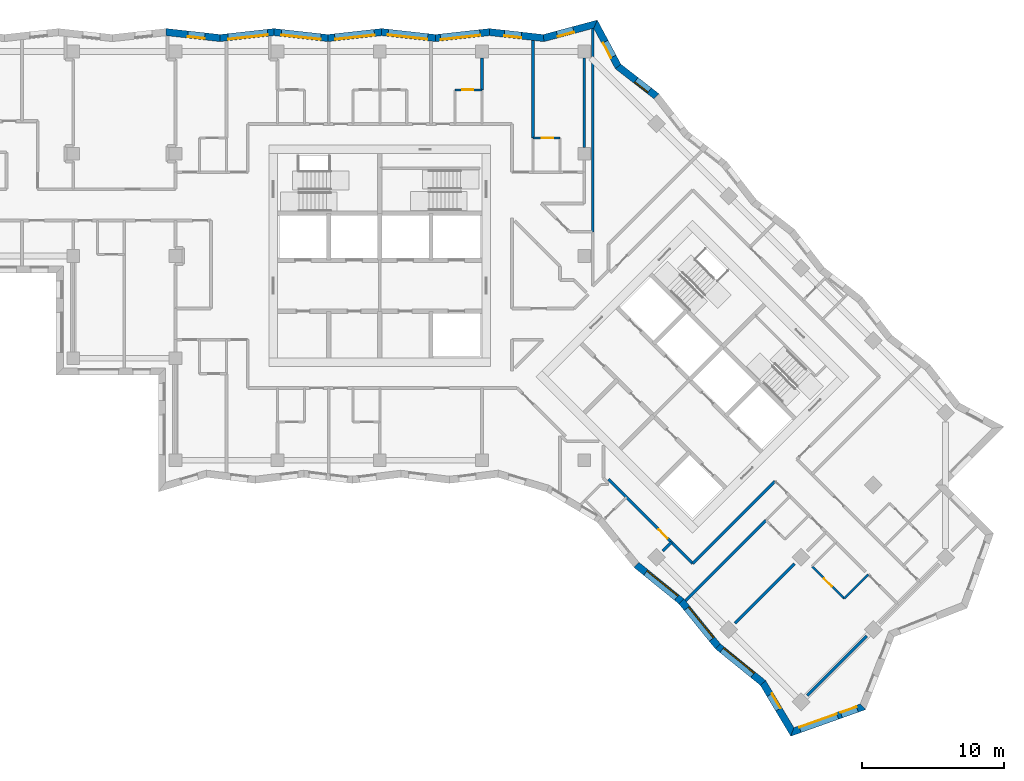
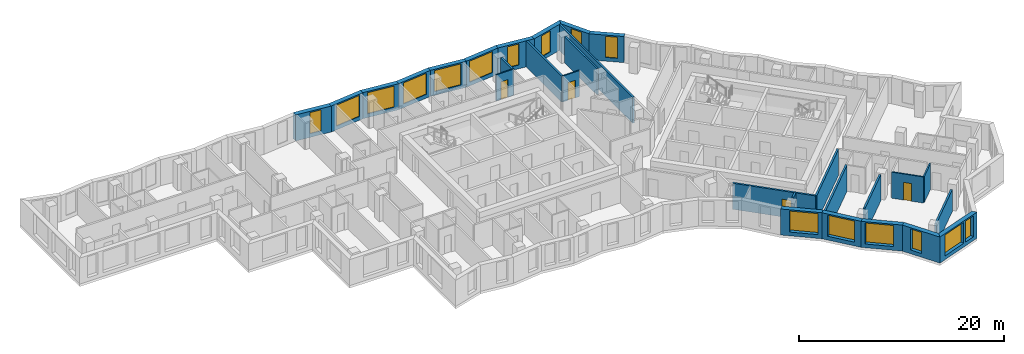
# One storey, part 7 of 12: 29 walls, 16 windows, 4 doors, 20 openings.
"""IFC4 building model written with IfcOpenShell, lengths in metres."""

from ifc_helpers import new_model, si_unit, direction, frame, frame_2d, origin, place, context, subcontext, project, spatial, polyline, rectangle, outline, extrude, material, layer, layer_set, type_object, element, fill, save


model = new_model("IFC4")

# Units and contexts
model_context = context("Model", 3, precision=1e-05, world=origin(), true_north=direction((0.0, 1.0)))
body_context = subcontext(model_context, "Body", "Model", "MODEL_VIEW")
ifc_project = project(units=[si_unit("LENGTHUNIT", "METRE"), si_unit("AREAUNIT", "SQUARE_METRE"), si_unit("VOLUMEUNIT", "CUBIC_METRE"), si_unit("PLANEANGLEUNIT", "RADIAN"), si_unit("MASSUNIT", "GRAM", prefix="KILO")], contexts=[model_context])

# Site, building, storey
site_placement = place(None, origin())
site = spatial("IfcSite", under=ifc_project, at=site_placement, CompositionType="ELEMENT")
building_placement = place(site_placement, origin())
building = spatial("IfcBuilding", under=site, at=building_placement, Name="Windrow Commons", CompositionType="ELEMENT")
storey_placement = place(building_placement, frame((0.0, 0.0, 149.0)))
storey = spatial("IfcBuildingStorey", under=building, at=storey_placement, Name="L40", CompositionType="ELEMENT", Elevation=149.0)

# Wall, openings, windows
ifc_material_1 = material(Name="Brick masonry, red clay brick", Category="masonry")
ifc_layer_1 = layer(ifc_material_1, 0.5)
ifc_layer_set_1 = layer_set([ifc_layer_1], Name="Brick facade wall 500")
wall_type_1 = type_object("IfcWallType", Name="Brick facade wall 500", PredefinedType="SOLIDWALL", material=ifc_layer_set_1)
wall_1_placement = place(storey_placement, frame((93.8609, 24.0648, 0.0), z_axis=(0.0, 0.0, 1.0), x_axis=(0.9420335154, 0.3355187863, 0.0)))
wall_1 = element("IfcWall", 1, at=wall_1_placement, inside=storey, type_object=wall_type_1, Name="Brick facade wall L40 1", PredefinedType="SOLIDWALL", context=body_context, shape_type="SweptSolid", body=[
    extrude(outline(polyline([(-0.2051, -0.25), (5.391, -0.25), (5.1636, 0.25), (0.2051, 0.25), (-0.2051, -0.25)])), origin(), (0.0, 0.0, 1.0), 3.1),
])
opening_1_placement = place(wall_1_placement, frame((0.5748, 0.0, 0.45)))
opening_1 = element("IfcOpeningElement", 2, at=opening_1_placement, cuts=wall_1, Name="Opening W1U", PredefinedType="OPENING", context=body_context, shape_type="SweptSolid", body=[
    extrude(rectangle(XDim=2.8, YDim=2.5, at=frame_2d((1.4, 1.25))), frame((0.0, 0.26, 0.0), z_axis=(0.0, -1.0, 0.0), x_axis=(1.0, 0.0, 0.0)), (0.0, 0.0, 1.0), 0.52),
])
opening_2_placement = place(wall_1_placement, frame((3.6541, 0.0, 0.45)))
opening_2 = element("IfcOpeningElement", 3, at=opening_2_placement, cuts=wall_1, Name="Opening W7E", PredefinedType="OPENING", context=body_context, shape_type="SweptSolid", body=[
    extrude(rectangle(XDim=1.2, YDim=2.5, at=frame_2d((0.6, 1.25))), frame((0.0, 0.26, 0.0), z_axis=(0.0, -1.0, 0.0), x_axis=(1.0, 0.0, 0.0)), (0.0, 0.0, 1.0), 0.52),
])
ifc_material_2 = material(Name="Clear float glass in anodised aluminium frame", Category="aluminium")
window_type_1 = type_object("IfcWindowType", Name="Window W1U bedroom 2800x2500", PartitioningType="SINGLE_PANEL", PredefinedType="WINDOW", material=ifc_material_2)
window_1_placement = place(opening_1_placement, origin())
window_1 = element("IfcWindow", 4, at=window_1_placement, inside=storey, type_object=window_type_1, Name="Window L40 1.1", OverallHeight=2.5, OverallWidth=2.8, PartitioningType="SINGLE_PANEL", PredefinedType="WINDOW", context=body_context, shape_type="SweptSolid", body=[
    extrude(rectangle(XDim=2.8, YDim=2.5, at=frame_2d((1.4, 1.25))), frame((0.0, 0.18, 0.0), z_axis=(0.0, -1.0, 0.0), x_axis=(1.0, 0.0, 0.0)), (0.0, 0.0, 1.0), 0.06),
])
fill(opening_1, window_1)
ifc_material_3 = material(Name="Clear float glass in anodised aluminium frame", Category="aluminium")
window_type_2 = type_object("IfcWindowType", Name="Window W7 notch 1200x2500", PartitioningType="SINGLE_PANEL", PredefinedType="WINDOW", material=ifc_material_3)
window_2_placement = place(opening_2_placement, origin())
window_2 = element("IfcWindow", 5, at=window_2_placement, inside=storey, type_object=window_type_2, Name="Window L40 1.2", OverallHeight=2.5, OverallWidth=1.2, PartitioningType="SINGLE_PANEL", PredefinedType="WINDOW", context=body_context, shape_type="SweptSolid", body=[
    extrude(rectangle(XDim=1.2, YDim=2.5, at=frame_2d((0.6, 1.25))), frame((0.0, 0.18, 0.0), z_axis=(0.0, -1.0, 0.0), x_axis=(1.0, 0.0, 0.0)), (0.0, 0.0, 1.0), 0.06),
])
fill(opening_2, window_2)

# Wall, opening, window
wall_2_placement = place(storey_placement, frame((84.2929, 68.8433, 0.0), z_axis=(0.0, 0.0, 1.0), x_axis=(-0.7891603499, 0.6141872207, 0.0)))
wall_2 = element("IfcWall", 6, at=wall_2_placement, inside=storey, type_object=wall_type_1, Name="Brick facade wall L40 17", PredefinedType="SOLIDWALL", context=body_context, shape_type="SweptSolid", body=[
    extrude(outline(polyline([(-0.0312, -0.25), (3.3716, -0.25), (3.4776, 0.25), (0.0312, 0.25), (-0.0312, -0.25)])), origin(), (0.0, 0.0, 1.0), 3.1),
])
opening_3_placement = place(wall_2_placement, frame((0.6409, 0.0, 0.45)))
opening_3 = element("IfcOpeningElement", 7, at=opening_3_placement, cuts=wall_2, Name="Opening W7E", PredefinedType="OPENING", context=body_context, shape_type="SweptSolid", body=[
    extrude(rectangle(XDim=1.2, YDim=2.5, at=frame_2d((0.6, 1.25))), frame((0.0, 0.26, 0.0), z_axis=(0.0, -1.0, 0.0), x_axis=(1.0, 0.0, 0.0)), (0.0, 0.0, 1.0), 0.52),
])
window_3_placement = place(opening_3_placement, origin())
window_3 = element("IfcWindow", 8, at=window_3_placement, inside=storey, type_object=window_type_2, Name="Window L40 17.1", OverallHeight=2.5, OverallWidth=1.2, PartitioningType="SINGLE_PANEL", PredefinedType="WINDOW", context=body_context, shape_type="SweptSolid", body=[
    extrude(rectangle(XDim=1.2, YDim=2.5, at=frame_2d((0.6, 1.25))), frame((0.0, 0.18, 0.0), z_axis=(0.0, -1.0, 0.0), x_axis=(1.0, 0.0, 0.0)), (0.0, 0.0, 1.0), 0.06),
])
fill(opening_3, window_3)

wall_3_placement = place(storey_placement, frame((81.5904, 70.9466, 0.0), z_axis=(0.0, 0.0, 1.0), x_axis=(-0.472203362, 0.8814896397, 0.0)))
wall_3 = element("IfcWall", 9, at=wall_3_placement, inside=storey, type_object=wall_type_1, Name="Brick facade wall L40 18", PredefinedType="SOLIDWALL", context=body_context, shape_type="SweptSolid", body=[
    extrude(outline(polyline([(0.053, -0.25), (3.5806, -0.25), (3.1838, 0.25), (-0.053, 0.25), (0.053, -0.25)])), origin(), (0.0, 0.0, 1.0), 3.1),
])
opening_4_placement = place(wall_3_placement, frame((0.772, 0.0, 0.45)))
opening_4 = element("IfcOpeningElement", 10, at=opening_4_placement, cuts=wall_3, Name="Opening W7E", PredefinedType="OPENING", context=body_context, shape_type="SweptSolid", body=[
    extrude(rectangle(XDim=1.2, YDim=2.5, at=frame_2d((0.6, 1.25))), frame((0.0, 0.26, 0.0), z_axis=(0.0, -1.0, 0.0), x_axis=(1.0, 0.0, 0.0)), (0.0, 0.0, 1.0), 0.52),
])
window_4_placement = place(opening_4_placement, origin())
window_4 = element("IfcWindow", 11, at=window_4_placement, inside=storey, type_object=window_type_2, Name="Window L40 18.1", OverallHeight=2.5, OverallWidth=1.2, PartitioningType="SINGLE_PANEL", PredefinedType="WINDOW", context=body_context, shape_type="SweptSolid", body=[
    extrude(rectangle(XDim=1.2, YDim=2.5, at=frame_2d((0.6, 1.25))), frame((0.0, 0.18, 0.0), z_axis=(0.0, -1.0, 0.0), x_axis=(1.0, 0.0, 0.0)), (0.0, 0.0, 1.0), 0.06),
])
fill(opening_4, window_4)

wall_4_placement = place(storey_placement, frame((79.9933, 73.928, 0.0), z_axis=(0.0, 0.0, 1.0), x_axis=(-0.9656852021, -0.2597154027, 0.0)))
wall_4 = element("IfcWall", 12, at=wall_4_placement, inside=storey, type_object=wall_type_1, Name="Brick facade wall L40 19", PredefinedType="SOLIDWALL", context=body_context, shape_type="SweptSolid", body=[
    extrude(outline(polyline([(-0.1984, -0.25), (3.7328, -0.25), (3.8272, 0.25), (0.1984, 0.25), (-0.1984, -0.25)])), origin(), (0.0, 0.0, 1.0), 3.1),
])
opening_5_placement = place(wall_4_placement, frame((1.6008, 0.0, 0.45)))
opening_5 = element("IfcOpeningElement", 13, at=opening_5_placement, cuts=wall_4, Name="Opening W7E", PredefinedType="OPENING", context=body_context, shape_type="SweptSolid", body=[
    extrude(rectangle(XDim=1.2, YDim=2.5, at=frame_2d((0.6, 1.25))), frame((0.0, 0.26, 0.0), z_axis=(0.0, -1.0, 0.0), x_axis=(1.0, 0.0, 0.0)), (0.0, 0.0, 1.0), 0.52),
])
window_5_placement = place(opening_5_placement, origin())
window_5 = element("IfcWindow", 14, at=window_5_placement, inside=storey, type_object=window_type_2, Name="Window L40 19.1", OverallHeight=2.5, OverallWidth=1.2, PartitioningType="SINGLE_PANEL", PredefinedType="WINDOW", context=body_context, shape_type="SweptSolid", body=[
    extrude(rectangle(XDim=1.2, YDim=2.5, at=frame_2d((0.6, 1.25))), frame((0.0, 0.18, 0.0), z_axis=(0.0, -1.0, 0.0), x_axis=(1.0, 0.0, 0.0)), (0.0, 0.0, 1.0), 0.06),
])
fill(opening_5, window_5)

wall_5_placement = place(storey_placement, frame((76.3431, 72.9463, 0.0), z_axis=(0.0, 0.0, 1.0), x_axis=(-0.9939056334, 0.1102342595, 0.0)))
wall_5 = element("IfcWall", 15, at=wall_5_placement, inside=storey, type_object=wall_type_1, Name="Brick facade wall L40 20", PredefinedType="SOLIDWALL", context=body_context, shape_type="SweptSolid", body=[
    extrude(outline(polyline([(0.0472, -0.25), (3.8668, -0.25), (3.8113, 0.25), (-0.0472, 0.25), (0.0472, -0.25)])), origin(), (0.0, 0.0, 1.0), 3.1),
])
opening_6_placement = place(wall_5_placement, frame((1.5795, 0.0, 0.45)))
opening_6 = element("IfcOpeningElement", 16, at=opening_6_placement, cuts=wall_5, Name="Opening W7E", PredefinedType="OPENING", context=body_context, shape_type="SweptSolid", body=[
    extrude(rectangle(XDim=1.2, YDim=2.5, at=frame_2d((0.6, 1.25))), frame((0.0, 0.26, 0.0), z_axis=(0.0, -1.0, 0.0), x_axis=(1.0, 0.0, 0.0)), (0.0, 0.0, 1.0), 0.52),
])
window_6_placement = place(opening_6_placement, origin())
window_6 = element("IfcWindow", 17, at=window_6_placement, inside=storey, type_object=window_type_2, Name="Window L40 20.1", OverallHeight=2.5, OverallWidth=1.2, PartitioningType="SINGLE_PANEL", PredefinedType="WINDOW", context=body_context, shape_type="SweptSolid", body=[
    extrude(rectangle(XDim=1.2, YDim=2.5, at=frame_2d((0.6, 1.25))), frame((0.0, 0.18, 0.0), z_axis=(0.0, -1.0, 0.0), x_axis=(1.0, 0.0, 0.0)), (0.0, 0.0, 1.0), 0.06),
])
fill(opening_6, window_6)

wall_6_placement = place(storey_placement, frame((72.5274, 73.3695, 0.0), z_axis=(0.0, 0.0, 1.0), x_axis=(-0.99390702, -0.1102217568, 0.0)))
wall_6 = element("IfcWall", 18, at=wall_6_placement, inside=storey, type_object=wall_type_1, Name="Brick facade wall L40 21", PredefinedType="SOLIDWALL", context=body_context, shape_type="SweptSolid", body=[
    extrude(outline(polyline([(-0.0277, -0.25), (3.7919, -0.25), (3.8473, 0.25), (0.0277, 0.25), (-0.0277, -0.25)])), origin(), (0.0, 0.0, 1.0), 3.1),
])
opening_7_placement = place(wall_6_placement, frame((0.6751, 0.0, 0.45)))
opening_7 = element("IfcOpeningElement", 19, at=opening_7_placement, cuts=wall_6, Name="Opening W1U", PredefinedType="OPENING", context=body_context, shape_type="SweptSolid", body=[
    extrude(rectangle(XDim=2.8, YDim=2.5, at=frame_2d((1.4, 1.25))), frame((0.0, 0.26, 0.0), z_axis=(0.0, -1.0, 0.0), x_axis=(1.0, 0.0, 0.0)), (0.0, 0.0, 1.0), 0.52),
])
window_7_placement = place(opening_7_placement, origin())
window_7 = element("IfcWindow", 20, at=window_7_placement, inside=storey, type_object=window_type_1, Name="Window L40 21.1", OverallHeight=2.5, OverallWidth=2.8, PartitioningType="SINGLE_PANEL", PredefinedType="WINDOW", context=body_context, shape_type="SweptSolid", body=[
    extrude(rectangle(XDim=2.8, YDim=2.5, at=frame_2d((1.4, 1.25))), frame((0.0, 0.18, 0.0), z_axis=(0.0, -1.0, 0.0), x_axis=(1.0, 0.0, 0.0)), (0.0, 0.0, 1.0), 0.06),
])
fill(opening_7, window_7)

wall_7_placement = place(storey_placement, frame((68.7311, 72.9485, 0.0), z_axis=(0.0, 0.0, 1.0), x_axis=(-0.99390702, 0.1102217568, 0.0)))
wall_7 = element("IfcWall", 21, at=wall_7_placement, inside=storey, type_object=wall_type_1, Name="Brick facade wall L40 22", PredefinedType="SOLIDWALL", context=body_context, shape_type="SweptSolid", body=[
    extrude(outline(polyline([(0.0277, -0.25), (3.8473, -0.25), (3.7919, 0.25), (-0.0277, 0.25), (0.0277, -0.25)])), origin(), (0.0, 0.0, 1.0), 3.1),
])
opening_8_placement = place(wall_7_placement, frame((0.5625, 0.0, 0.45)))
opening_8 = element("IfcOpeningElement", 22, at=opening_8_placement, cuts=wall_7, Name="Opening W1U", PredefinedType="OPENING", context=body_context, shape_type="SweptSolid", body=[
    extrude(rectangle(XDim=2.8, YDim=2.5, at=frame_2d((1.4, 1.25))), frame((0.0, 0.26, 0.0), z_axis=(0.0, -1.0, 0.0), x_axis=(1.0, 0.0, 0.0)), (0.0, 0.0, 1.0), 0.52),
])
window_8_placement = place(opening_8_placement, origin())
window_8 = element("IfcWindow", 23, at=window_8_placement, inside=storey, type_object=window_type_1, Name="Window L40 22.1", OverallHeight=2.5, OverallWidth=2.8, PartitioningType="SINGLE_PANEL", PredefinedType="WINDOW", context=body_context, shape_type="SweptSolid", body=[
    extrude(rectangle(XDim=2.8, YDim=2.5, at=frame_2d((1.4, 1.25))), frame((0.0, 0.18, 0.0), z_axis=(0.0, -1.0, 0.0), x_axis=(1.0, 0.0, 0.0)), (0.0, 0.0, 1.0), 0.06),
])
fill(opening_8, window_8)

wall_8_placement = place(storey_placement, frame((64.9348, 73.3695, 0.0), z_axis=(0.0, 0.0, 1.0), x_axis=(-0.993907338, -0.1102188888, 0.0)))
wall_8 = element("IfcWall", 24, at=wall_8_placement, inside=storey, type_object=wall_type_1, Name="Brick facade wall L40 23", PredefinedType="SOLIDWALL", context=body_context, shape_type="SweptSolid", body=[
    extrude(outline(polyline([(-0.0277, -0.25), (3.7919, -0.25), (3.8473, 0.25), (0.0277, 0.25), (-0.0277, -0.25)])), origin(), (0.0, 0.0, 1.0), 3.1),
])
opening_9_placement = place(wall_8_placement, frame((0.5237, 0.0, 0.45)))
opening_9 = element("IfcOpeningElement", 25, at=opening_9_placement, cuts=wall_8, Name="Opening W1U", PredefinedType="OPENING", context=body_context, shape_type="SweptSolid", body=[
    extrude(rectangle(XDim=2.8, YDim=2.5, at=frame_2d((1.4, 1.25))), frame((0.0, 0.26, 0.0), z_axis=(0.0, -1.0, 0.0), x_axis=(1.0, 0.0, 0.0)), (0.0, 0.0, 1.0), 0.52),
])
window_9_placement = place(opening_9_placement, origin())
window_9 = element("IfcWindow", 26, at=window_9_placement, inside=storey, type_object=window_type_1, Name="Window L40 23.1", OverallHeight=2.5, OverallWidth=2.8, PartitioningType="SINGLE_PANEL", PredefinedType="WINDOW", context=body_context, shape_type="SweptSolid", body=[
    extrude(rectangle(XDim=2.8, YDim=2.5, at=frame_2d((1.4, 1.25))), frame((0.0, 0.18, 0.0), z_axis=(0.0, -1.0, 0.0), x_axis=(1.0, 0.0, 0.0)), (0.0, 0.0, 1.0), 0.06),
])
fill(opening_9, window_9)

wall_9_placement = place(storey_placement, frame((61.1384, 72.9485, 0.0), z_axis=(0.0, 0.0, 1.0), x_axis=(-0.99390702, 0.1102217568, 0.0)))
wall_9 = element("IfcWall", 27, at=wall_9_placement, inside=storey, type_object=wall_type_1, Name="Brick facade wall L40 24", PredefinedType="SOLIDWALL", context=body_context, shape_type="SweptSolid", body=[
    extrude(outline(polyline([(0.0277, -0.25), (3.8473, -0.25), (3.7919, 0.25), (-0.0277, 0.25), (0.0277, -0.25)])), origin(), (0.0, 0.0, 1.0), 3.1),
])
opening_10_placement = place(wall_9_placement, frame((0.4959, 0.0, 0.45)))
opening_10 = element("IfcOpeningElement", 28, at=opening_10_placement, cuts=wall_9, Name="Opening W1U", PredefinedType="OPENING", context=body_context, shape_type="SweptSolid", body=[
    extrude(rectangle(XDim=2.8, YDim=2.5, at=frame_2d((1.4, 1.25))), frame((0.0, 0.26, 0.0), z_axis=(0.0, -1.0, 0.0), x_axis=(1.0, 0.0, 0.0)), (0.0, 0.0, 1.0), 0.52),
])
window_10_placement = place(opening_10_placement, origin())
window_10 = element("IfcWindow", 29, at=window_10_placement, inside=storey, type_object=window_type_1, Name="Window L40 24.1", OverallHeight=2.5, OverallWidth=2.8, PartitioningType="SINGLE_PANEL", PredefinedType="WINDOW", context=body_context, shape_type="SweptSolid", body=[
    extrude(rectangle(XDim=2.8, YDim=2.5, at=frame_2d((1.4, 1.25))), frame((0.0, 0.18, 0.0), z_axis=(0.0, -1.0, 0.0), x_axis=(1.0, 0.0, 0.0)), (0.0, 0.0, 1.0), 0.06),
])
fill(opening_10, window_10)

wall_10_placement = place(storey_placement, frame((57.3421, 73.3695, 0.0), z_axis=(0.0, 0.0, 1.0), x_axis=(-0.99390702, -0.1102217568, 0.0)))
wall_10 = element("IfcWall", 30, at=wall_10_placement, inside=storey, type_object=wall_type_1, Name="Brick facade wall L40 25", PredefinedType="SOLIDWALL", context=body_context, shape_type="SweptSolid", body=[
    extrude(outline(polyline([(-0.0277, -0.25), (3.7919, -0.25), (3.8473, 0.25), (0.0277, 0.25), (-0.0277, -0.25)])), origin(), (0.0, 0.0, 1.0), 3.1),
])
opening_11_placement = place(wall_10_placement, frame((0.4452, 0.0, 0.45)))
opening_11 = element("IfcOpeningElement", 31, at=opening_11_placement, cuts=wall_10, Name="Opening W1U", PredefinedType="OPENING", context=body_context, shape_type="SweptSolid", body=[
    extrude(rectangle(XDim=2.8, YDim=2.5, at=frame_2d((1.4, 1.25))), frame((0.0, 0.26, 0.0), z_axis=(0.0, -1.0, 0.0), x_axis=(1.0, 0.0, 0.0)), (0.0, 0.0, 1.0), 0.52),
])
window_11_placement = place(opening_11_placement, origin())
window_11 = element("IfcWindow", 32, at=window_11_placement, inside=storey, type_object=window_type_1, Name="Window L40 25.1", OverallHeight=2.5, OverallWidth=2.8, PartitioningType="SINGLE_PANEL", PredefinedType="WINDOW", context=body_context, shape_type="SweptSolid", body=[
    extrude(rectangle(XDim=2.8, YDim=2.5, at=frame_2d((1.4, 1.25))), frame((0.0, 0.18, 0.0), z_axis=(0.0, -1.0, 0.0), x_axis=(1.0, 0.0, 0.0)), (0.0, 0.0, 1.0), 0.06),
])
fill(opening_11, window_11)

wall_11_placement = place(storey_placement, frame((53.5458, 72.9485, 0.0), z_axis=(0.0, 0.0, 1.0), x_axis=(-0.99390702, 0.1102217568, 0.0)))
wall_11 = element("IfcWall", 33, at=wall_11_placement, inside=storey, type_object=wall_type_1, Name="Brick facade wall L40 26", PredefinedType="SOLIDWALL", context=body_context, shape_type="SweptSolid", body=[
    extrude(outline(polyline([(0.0277, -0.25), (3.8473, -0.25), (3.7919, 0.25), (-0.0277, 0.25), (0.0277, -0.25)])), origin(), (0.0, 0.0, 1.0), 3.1),
])
opening_12_placement = place(wall_11_placement, frame((1.0826, 0.0, 0.45)))
opening_12 = element("IfcOpeningElement", 34, at=opening_12_placement, cuts=wall_11, Name="Opening W7E", PredefinedType="OPENING", context=body_context, shape_type="SweptSolid", body=[
    extrude(rectangle(XDim=1.2, YDim=2.5, at=frame_2d((0.6, 1.25))), frame((0.0, 0.26, 0.0), z_axis=(0.0, -1.0, 0.0), x_axis=(1.0, 0.0, 0.0)), (0.0, 0.0, 1.0), 0.52),
])
window_12_placement = place(opening_12_placement, origin())
window_12 = element("IfcWindow", 35, at=window_12_placement, inside=storey, type_object=window_type_2, Name="Window L40 26.1", OverallHeight=2.5, OverallWidth=1.2, PartitioningType="SINGLE_PANEL", PredefinedType="WINDOW", context=body_context, shape_type="SweptSolid", body=[
    extrude(rectangle(XDim=1.2, YDim=2.5, at=frame_2d((0.6, 1.25))), frame((0.0, 0.18, 0.0), z_axis=(0.0, -1.0, 0.0), x_axis=(1.0, 0.0, 0.0)), (0.0, 0.0, 1.0), 0.06),
])
fill(opening_12, window_12)

wall_12_placement = place(storey_placement, frame((82.8745, 35.8415, 0.0), z_axis=(0.0, 0.0, 1.0), x_axis=(0.7762833982, -0.6303840779, 0.0)))
wall_12 = element("IfcWall", 36, at=wall_12_placement, inside=storey, type_object=wall_type_1, Name="Brick facade wall L40 52", PredefinedType="SOLIDWALL", context=body_context, shape_type="SweptSolid", body=[
    extrude(outline(polyline([(-0.0259, -0.25), (4.0543, -0.25), (4.1062, 0.25), (0.0259, 0.25), (-0.0259, -0.25)])), origin(), (0.0, 0.0, 1.0), 3.1),
])
opening_13_placement = place(wall_12_placement, frame((0.8587, 0.0, 0.45)))
opening_13 = element("IfcOpeningElement", 37, at=opening_13_placement, cuts=wall_12, Name="Opening W1U", PredefinedType="OPENING", context=body_context, shape_type="SweptSolid", body=[
    extrude(rectangle(XDim=2.8, YDim=2.5, at=frame_2d((1.4, 1.25))), frame((0.0, 0.26, 0.0), z_axis=(0.0, -1.0, 0.0), x_axis=(1.0, 0.0, 0.0)), (0.0, 0.0, 1.0), 0.52),
])
window_13_placement = place(opening_13_placement, origin())
window_13 = element("IfcWindow", 38, at=window_13_placement, inside=storey, type_object=window_type_1, Name="Window L40 52.1", OverallHeight=2.5, OverallWidth=2.8, PartitioningType="SINGLE_PANEL", PredefinedType="WINDOW", context=body_context, shape_type="SweptSolid", body=[
    extrude(rectangle(XDim=2.8, YDim=2.5, at=frame_2d((1.4, 1.25))), frame((0.0, 0.18, 0.0), z_axis=(0.0, -1.0, 0.0), x_axis=(1.0, 0.0, 0.0)), (0.0, 0.0, 1.0), 0.06),
])
fill(opening_13, window_13)

wall_13_placement = place(storey_placement, frame((86.0419, 33.2694, 0.0), z_axis=(0.0, 0.0, 1.0), x_axis=(0.6303840779, -0.7762833982, 0.0)))
wall_13 = element("IfcWall", 39, at=wall_13_placement, inside=storey, type_object=wall_type_1, Name="Brick facade wall L40 53", PredefinedType="SOLIDWALL", context=body_context, shape_type="SweptSolid", body=[
    extrude(outline(polyline([(0.0259, -0.25), (4.1062, -0.25), (4.0543, 0.25), (-0.0259, 0.25), (0.0259, -0.25)])), origin(), (0.0, 0.0, 1.0), 3.1),
])
opening_14_placement = place(wall_13_placement, frame((0.6271, 0.0, 0.45)))
opening_14 = element("IfcOpeningElement", 40, at=opening_14_placement, cuts=wall_13, Name="Opening W1U", PredefinedType="OPENING", context=body_context, shape_type="SweptSolid", body=[
    extrude(rectangle(XDim=2.8, YDim=2.5, at=frame_2d((1.4, 1.25))), frame((0.0, 0.26, 0.0), z_axis=(0.0, -1.0, 0.0), x_axis=(1.0, 0.0, 0.0)), (0.0, 0.0, 1.0), 0.52),
])
window_14_placement = place(opening_14_placement, origin())
window_14 = element("IfcWindow", 41, at=window_14_placement, inside=storey, type_object=window_type_1, Name="Window L40 53.1", OverallHeight=2.5, OverallWidth=2.8, PartitioningType="SINGLE_PANEL", PredefinedType="WINDOW", context=body_context, shape_type="SweptSolid", body=[
    extrude(rectangle(XDim=2.8, YDim=2.5, at=frame_2d((1.4, 1.25))), frame((0.0, 0.18, 0.0), z_axis=(0.0, -1.0, 0.0), x_axis=(1.0, 0.0, 0.0)), (0.0, 0.0, 1.0), 0.06),
])
fill(opening_14, window_14)

wall_14_placement = place(storey_placement, frame((88.614, 30.102, 0.0), z_axis=(0.0, 0.0, 1.0), x_axis=(0.7762871195, -0.6303794952, 0.0)))
wall_14 = element("IfcWall", 42, at=wall_14_placement, inside=storey, type_object=wall_type_1, Name="Brick facade wall L40 54", PredefinedType="SOLIDWALL", context=body_context, shape_type="SweptSolid", body=[
    extrude(outline(polyline([(-0.0259, -0.25), (4.0543, -0.25), (4.1427, 0.25), (0.0259, 0.25), (-0.0259, -0.25)])), origin(), (0.0, 0.0, 1.0), 3.1),
])
opening_15_placement = place(wall_14_placement, frame((0.3803, 0.0, 0.45)))
opening_15 = element("IfcOpeningElement", 43, at=opening_15_placement, cuts=wall_14, Name="Opening W1U", PredefinedType="OPENING", context=body_context, shape_type="SweptSolid", body=[
    extrude(rectangle(XDim=2.8, YDim=2.5, at=frame_2d((1.4, 1.25))), frame((0.0, 0.26, 0.0), z_axis=(0.0, -1.0, 0.0), x_axis=(1.0, 0.0, 0.0)), (0.0, 0.0, 1.0), 0.52),
])
window_15_placement = place(opening_15_placement, origin())
window_15 = element("IfcWindow", 44, at=window_15_placement, inside=storey, type_object=window_type_1, Name="Window L40 54.1", OverallHeight=2.5, OverallWidth=2.8, PartitioningType="SINGLE_PANEL", PredefinedType="WINDOW", context=body_context, shape_type="SweptSolid", body=[
    extrude(rectangle(XDim=2.8, YDim=2.5, at=frame_2d((1.4, 1.25))), frame((0.0, 0.18, 0.0), z_axis=(0.0, -1.0, 0.0), x_axis=(1.0, 0.0, 0.0)), (0.0, 0.0, 1.0), 0.06),
])
fill(opening_15, window_15)

wall_15_placement = place(storey_placement, frame((91.7956, 27.5184, 0.0), z_axis=(0.0, 0.0, 1.0), x_axis=(0.5132417067, -0.8582441089, 0.0)))
wall_15 = element("IfcWall", 45, at=wall_15_placement, inside=storey, type_object=wall_type_1, Name="Brick facade wall L40 55", PredefinedType="SOLIDWALL", context=body_context, shape_type="SweptSolid", body=[
    extrude(outline(polyline([(0.0442, -0.25), (4.2291, -0.25), (3.8189, 0.25), (-0.0442, 0.25), (0.0442, -0.25)])), origin(), (0.0, 0.0, 1.0), 3.1),
])
opening_16_placement = place(wall_15_placement, frame((0.9644, 0.0, 0.45)))
opening_16 = element("IfcOpeningElement", 46, at=opening_16_placement, cuts=wall_15, Name="Opening W7E", PredefinedType="OPENING", context=body_context, shape_type="SweptSolid", body=[
    extrude(rectangle(XDim=1.2, YDim=2.5, at=frame_2d((0.6, 1.25))), frame((0.0, 0.26, 0.0), z_axis=(0.0, -1.0, 0.0), x_axis=(1.0, 0.0, 0.0)), (0.0, 0.0, 1.0), 0.52),
])
window_16_placement = place(opening_16_placement, origin())
window_16 = element("IfcWindow", 47, at=window_16_placement, inside=storey, type_object=window_type_2, Name="Window L40 55.1", OverallHeight=2.5, OverallWidth=1.2, PartitioningType="SINGLE_PANEL", PredefinedType="WINDOW", context=body_context, shape_type="SweptSolid", body=[
    extrude(rectangle(XDim=1.2, YDim=2.5, at=frame_2d((0.6, 1.25))), frame((0.0, 0.18, 0.0), z_axis=(0.0, -1.0, 0.0), x_axis=(1.0, 0.0, 0.0)), (0.0, 0.0, 1.0), 0.06),
])
fill(opening_16, window_16)

# Wall, opening, door
ifc_material_4 = material(Name="Blockwork partition", Category="masonry")
ifc_layer_2 = layer(ifc_material_4, 0.2)
ifc_layer_set_2 = layer_set([ifc_layer_2], Name="IW-CORRIDOR-200")
wall_type_2 = type_object("IfcWallType", Name="IW-CORRIDOR-200", PredefinedType="PARTITIONING", material=ifc_layer_set_2)
wall_16_placement = place(storey_placement, frame((80.8989, 41.8689, 0.0), z_axis=(0.0, 0.0, 1.0), x_axis=(0.7071067812, -0.7071067812, 0.0)))
wall_16 = element("IfcWall", 48, at=wall_16_placement, inside=storey, type_object=wall_type_2, Name="W-L40-W010", PredefinedType="PARTITIONING", context=body_context, shape_type="SweptSolid", body=[
    extrude(rectangle(XDim=8.3919, YDim=0.2, at=frame_2d((4.1959, 0.0))), origin(), (0.0, 0.0, 1.0), 3.1),
])
opening_17_placement = place(wall_16_placement, frame((4.9878, 0.0, 0.0)))
opening_17 = element("IfcOpeningElement", 49, at=opening_17_placement, cuts=wall_16, Name="Opening D109S", PredefinedType="OPENING", context=body_context, shape_type="SweptSolid", body=[
    extrude(rectangle(XDim=0.9, YDim=2.1, at=frame_2d((0.45, 1.05))), frame((0.0, 0.11, 0.0), z_axis=(0.0, -1.0, 0.0), x_axis=(1.0, 0.0, 0.0)), (0.0, 0.0, 1.0), 0.22),
])
ifc_material_5 = material(Name="Timber door leaf", Category="wood")
door_type_1 = type_object("IfcDoorType", Name="DT-BEDROOM-900", OperationType="SINGLE_SWING_LEFT", PredefinedType="DOOR", material=ifc_material_5)
door_1_placement = place(opening_17_placement, origin())
door_1 = element("IfcDoor", 50, at=door_1_placement, inside=storey, type_object=door_type_1, Name="D-L40-D046", OperationType="SINGLE_SWING_RIGHT", OverallHeight=2.1, OverallWidth=0.9, PredefinedType="DOOR", context=body_context, shape_type="SweptSolid", body=[
    extrude(rectangle(XDim=0.9, YDim=2.1, at=frame_2d((0.45, 1.05))), frame((0.0, 0.025, 0.0), z_axis=(0.0, -1.0, 0.0), x_axis=(1.0, 0.0, 0.0)), (0.0, 0.0, 1.0), 0.05),
])
fill(opening_17, door_1)

# Wall
wall_17_placement = place(storey_placement, frame((86.8358, 35.9382, 0.0), z_axis=(0.0, 0.0, 1.0), x_axis=(0.7071067812, 0.7071067812, 0.0)))
element("IfcWall", 51, at=wall_17_placement, inside=storey, type_object=wall_type_2, Name="W-L40-W013", PredefinedType="PARTITIONING", context=body_context, shape_type="SweptSolid", body=[
    extrude(rectangle(XDim=8.1996, YDim=0.2, at=frame_2d((4.0998, 0.0))), origin(), (0.0, 0.0, 1.0), 3.1),
])

# Wall, opening, door
ifc_material_6 = material(Name="Blockwork partition", Category="masonry")
ifc_layer_3 = layer(ifc_material_6, 0.15)
ifc_layer_set_3 = layer_set([ifc_layer_3], Name="IW-ENSUITE-150")
wall_type_3 = type_object("IfcWallType", Name="IW-ENSUITE-150", PredefinedType="PARTITIONING", material=ifc_layer_set_3)
wall_18_placement = place(storey_placement, frame((95.2492, 35.7232, 0.0), z_axis=(0.0, 0.0, 1.0), x_axis=(0.7067942478, -0.7074191764, 0.0)))
wall_18 = element("IfcWall", 52, at=wall_18_placement, inside=storey, type_object=wall_type_3, Name="W-L40-W052", PredefinedType="PARTITIONING", context=body_context, shape_type="SweptSolid", body=[
    extrude(rectangle(XDim=3.2004, YDim=0.15, at=frame_2d((1.6002, 0.0))), origin(), (0.0, 0.0, 1.0), 3.1),
])
opening_18_placement = place(wall_18_placement, frame((1.2061, 0.0, 0.0)))
opening_18 = element("IfcOpeningElement", 53, at=opening_18_placement, cuts=wall_18, Name="Opening D208N", PredefinedType="OPENING", context=body_context, shape_type="SweptSolid", body=[
    extrude(rectangle(XDim=0.8, YDim=2.1, at=frame_2d((0.4, 1.05))), frame((0.0, 0.085, 0.0), z_axis=(0.0, -1.0, 0.0), x_axis=(1.0, 0.0, 0.0)), (0.0, 0.0, 1.0), 0.17),
])
ifc_material_7 = material(Name="Timber door leaf", Category="wood")
door_type_2 = type_object("IfcDoorType", Name="DT-ENSUITE-800", OperationType="SINGLE_SWING_LEFT", PredefinedType="DOOR", material=ifc_material_7)
door_2_placement = place(opening_18_placement, origin())
door_2 = element("IfcDoor", 54, at=door_2_placement, inside=storey, type_object=door_type_2, Name="D-L40-D052", OperationType="SINGLE_SWING_RIGHT", OverallHeight=2.1, OverallWidth=0.8, PredefinedType="DOOR", context=body_context, shape_type="SweptSolid", body=[
    extrude(rectangle(XDim=0.8, YDim=2.1, at=frame_2d((0.4, 1.05))), frame((0.0, 0.025, 0.0), z_axis=(0.0, -1.0, 0.0), x_axis=(1.0, 0.0, 0.0)), (0.0, 0.0, 1.0), 0.05),
])
fill(opening_18, door_2)

# Wall
wall_19_placement = place(storey_placement, frame((97.5129, 33.4631, 0.0), z_axis=(0.0, 0.0, 1.0), x_axis=(0.7071067812, 0.7071067812, 0.0)))
element("IfcWall", 55, at=wall_19_placement, inside=storey, type_object=wall_type_3, Name="W-L40-W066", PredefinedType="PARTITIONING", context=body_context, shape_type="SweptSolid", body=[
    extrude(rectangle(XDim=2.4013, YDim=0.15, at=frame_2d((1.2006, 0.0))), origin(), (0.0, 0.0, 1.0), 3.1),
])

# Wall, opening, door
wall_20_placement = place(storey_placement, frame((75.6, 65.9, 0.0), z_axis=(0.0, 0.0, 1.0), x_axis=(1.0, 0.0, 0.0)))
wall_20 = element("IfcWall", 56, at=wall_20_placement, inside=storey, type_object=wall_type_3, Name="W-L40-W124", PredefinedType="PARTITIONING", context=body_context, shape_type="SweptSolid", body=[
    extrude(rectangle(XDim=1.9, YDim=0.15, at=frame_2d((0.95, 0.0))), origin(), (0.0, 0.0, 1.0), 3.1),
])
opening_19_placement = place(wall_20_placement, frame((0.6069, 0.0, 0.0)))
opening_19 = element("IfcOpeningElement", 57, at=opening_19_placement, cuts=wall_20, Name="Opening D208N", PredefinedType="OPENING", context=body_context, shape_type="SweptSolid", body=[
    extrude(rectangle(XDim=0.8, YDim=2.1, at=frame_2d((0.4, 1.05))), frame((0.0, 0.085, 0.0), z_axis=(0.0, -1.0, 0.0), x_axis=(1.0, 0.0, 0.0)), (0.0, 0.0, 1.0), 0.17),
])
door_3_placement = place(opening_19_placement, origin())
door_3 = element("IfcDoor", 58, at=door_3_placement, inside=storey, type_object=door_type_2, Name="D-L40-D028", OperationType="SINGLE_SWING_RIGHT", OverallHeight=2.1, OverallWidth=0.8, PredefinedType="DOOR", context=body_context, shape_type="SweptSolid", body=[
    extrude(rectangle(XDim=0.8, YDim=2.1, at=frame_2d((0.4, 1.05))), frame((0.0, 0.025, 0.0), z_axis=(0.0, -1.0, 0.0), x_axis=(1.0, 0.0, 0.0)), (0.0, 0.0, 1.0), 0.05),
])
fill(opening_19, door_3)

wall_21_placement = place(storey_placement, frame((70.1, 69.3, 0.0), z_axis=(0.0, 0.0, 1.0), x_axis=(1.0, 0.0, 0.0)))
wall_21 = element("IfcWall", 59, at=wall_21_placement, inside=storey, type_object=wall_type_3, Name="W-L40-W125", PredefinedType="PARTITIONING", context=body_context, shape_type="SweptSolid", body=[
    extrude(rectangle(XDim=1.9, YDim=0.15, at=frame_2d((0.95, 0.0))), origin(), (0.0, 0.0, 1.0), 3.1),
])
opening_20_placement = place(wall_21_placement, frame((0.4931, 0.0, 0.0)))
opening_20 = element("IfcOpeningElement", 60, at=opening_20_placement, cuts=wall_21, Name="Opening D208N", PredefinedType="OPENING", context=body_context, shape_type="SweptSolid", body=[
    extrude(rectangle(XDim=0.8, YDim=2.1, at=frame_2d((0.4, 1.05))), frame((0.0, 0.085, 0.0), z_axis=(0.0, -1.0, 0.0), x_axis=(1.0, 0.0, 0.0)), (0.0, 0.0, 1.0), 0.17),
])
door_4_placement = place(opening_20_placement, origin())
door_4 = element("IfcDoor", 61, at=door_4_placement, inside=storey, type_object=door_type_2, Name="D-L40-D015", OperationType="SINGLE_SWING_RIGHT", OverallHeight=2.1, OverallWidth=0.8, PredefinedType="DOOR", context=body_context, shape_type="SweptSolid", body=[
    extrude(rectangle(XDim=0.8, YDim=2.1, at=frame_2d((0.4, 1.05))), frame((0.0, 0.025, 0.0), z_axis=(0.0, -1.0, 0.0), x_axis=(1.0, 0.0, 0.0)), (0.0, 0.0, 1.0), 0.05),
])
fill(opening_20, door_4)

# Walls
ifc_material_8 = material(Name="Blockwork partition", Category="masonry")
ifc_layer_4 = layer(ifc_material_8, 0.2)
ifc_layer_set_4 = layer_set([ifc_layer_4], Name="IW-PARTY-200")
wall_type_4 = type_object("IfcWallType", Name="IW-PARTY-200", PredefinedType="PARTITIONING", material=ifc_layer_set_4)
wall_22_placement = place(storey_placement, frame((79.8, 59.3, 0.0), z_axis=(0.0, 0.0, 1.0), x_axis=(0.0, 1.0, 0.0)))
element("IfcWall", 62, at=wall_22_placement, inside=storey, type_object=wall_type_4, Name="W-L40-W004", PredefinedType="PARTITIONING", context=body_context, shape_type="SweptSolid", body=[
    extrude(rectangle(XDim=14.3172, YDim=0.2, at=frame_2d((7.1586, 0.0))), origin(), (0.0, 0.0, 1.0), 3.1),
])
wall_23_placement = place(storey_placement, frame((86.3301, 33.3112, 0.0), z_axis=(0.0, 0.0, 1.0), x_axis=(0.7071005427, 0.7071130196, 0.0)))
element("IfcWall", 63, at=wall_23_placement, inside=storey, type_object=wall_type_4, Name="W-L40-W014", PredefinedType="PARTITIONING", context=body_context, shape_type="SweptSolid", body=[
    extrude(rectangle(XDim=8.0148, YDim=0.2, at=frame_2d((4.0074, 0.0))), origin(), (0.0, 0.0, 1.0), 3.1),
])
wall_24_placement = place(storey_placement, frame((75.6, 65.9, 0.0), z_axis=(0.0, 0.0, 1.0), x_axis=(0.0, 1.0, 0.0)))
element("IfcWall", 64, at=wall_24_placement, inside=storey, type_object=wall_type_4, Name="W-L40-W017", PredefinedType="PARTITIONING", context=body_context, shape_type="SweptSolid", body=[
    extrude(rectangle(XDim=6.8772, YDim=0.2, at=frame_2d((3.4386, 0.0))), origin(), (0.0, 0.0, 1.0), 3.1),
])
wall_25_placement = place(storey_placement, frame((79.2, 65.25, 0.0), z_axis=(0.0, 0.0, 1.0), x_axis=(0.0, 1.0, 0.0)))
element("IfcWall", 65, at=wall_25_placement, inside=storey, type_object=wall_type_4, Name="W-L40-W024", PredefinedType="PARTITIONING", context=body_context, shape_type="SweptSolid", body=[
    extrude(rectangle(XDim=6.3, YDim=0.2, at=frame_2d((3.15, 0.0))), origin(), (0.0, 0.0, 1.0), 3.1),
])
wall_26_placement = place(storey_placement, frame((89.831, 31.721, 0.0), z_axis=(0.0, 0.0, 1.0), x_axis=(0.7071067812, 0.7071067812, 0.0)))
element("IfcWall", 66, at=wall_26_placement, inside=storey, type_object=wall_type_4, Name="W-L40-W029", PredefinedType="PARTITIONING", context=body_context, shape_type="SweptSolid", body=[
    extrude(rectangle(XDim=5.9284, YDim=0.2, at=frame_2d((2.9642, 0.0))), origin(), (0.0, 0.0, 1.0), 3.1),
])
wall_27_placement = place(storey_placement, frame((94.9232, 26.6308, 0.0), z_axis=(0.0, 0.0, 1.0), x_axis=(0.7071067812, 0.7071067812, 0.0)))
element("IfcWall", 67, at=wall_27_placement, inside=storey, type_object=wall_type_4, Name="W-L40-W030", PredefinedType="PARTITIONING", context=body_context, shape_type="SweptSolid", body=[
    extrude(rectangle(XDim=5.9256, YDim=0.2, at=frame_2d((2.9628, 0.0))), origin(), (0.0, 0.0, 1.0), 2.6),
])
wall_28_placement = place(storey_placement, frame((72.0, 69.3, 0.0), z_axis=(0.0, 0.0, 1.0), x_axis=(0.0, 1.0, 0.0)))
element("IfcWall", 68, at=wall_28_placement, inside=storey, type_object=wall_type_4, Name="W-L40-W104", PredefinedType="PARTITIONING", context=body_context, shape_type="SweptSolid", body=[
    extrude(rectangle(XDim=2.25, YDim=0.2, at=frame_2d((1.125, 0.0))), origin(), (0.0, 0.0, 1.0), 3.1),
])
wall_29_placement = place(storey_placement, frame((84.7408, 36.8132, 0.0), z_axis=(0.0, 0.0, 1.0), x_axis=(0.7071067812, 0.7071067812, 0.0)))
element("IfcWall", 69, at=wall_29_placement, inside=storey, type_object=wall_type_4, Name="W-L40-W157", PredefinedType="PARTITIONING", context=body_context, shape_type="SweptSolid", body=[
    extrude(rectangle(XDim=0.8627, YDim=0.2, at=frame_2d((0.4314, 0.0))), origin(), (0.0, 0.0, 1.0), 3.1),
])

save(model, "model.ifc")
